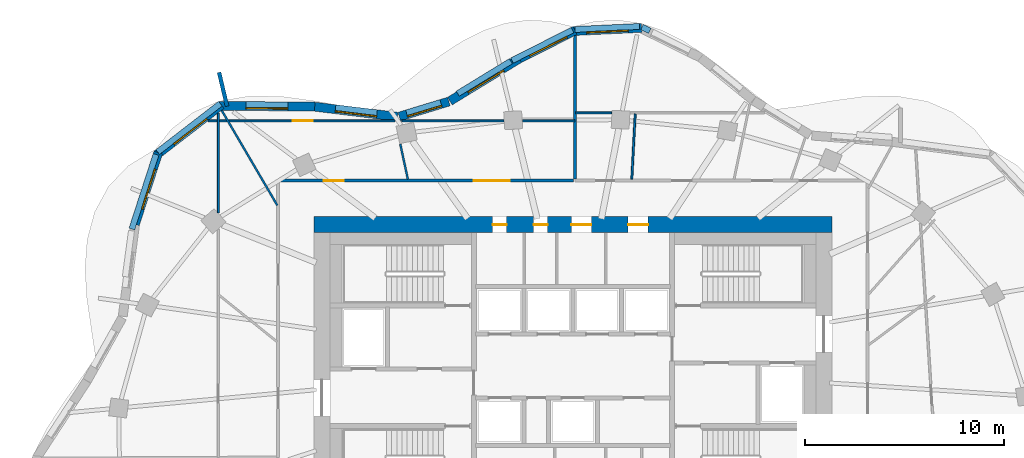
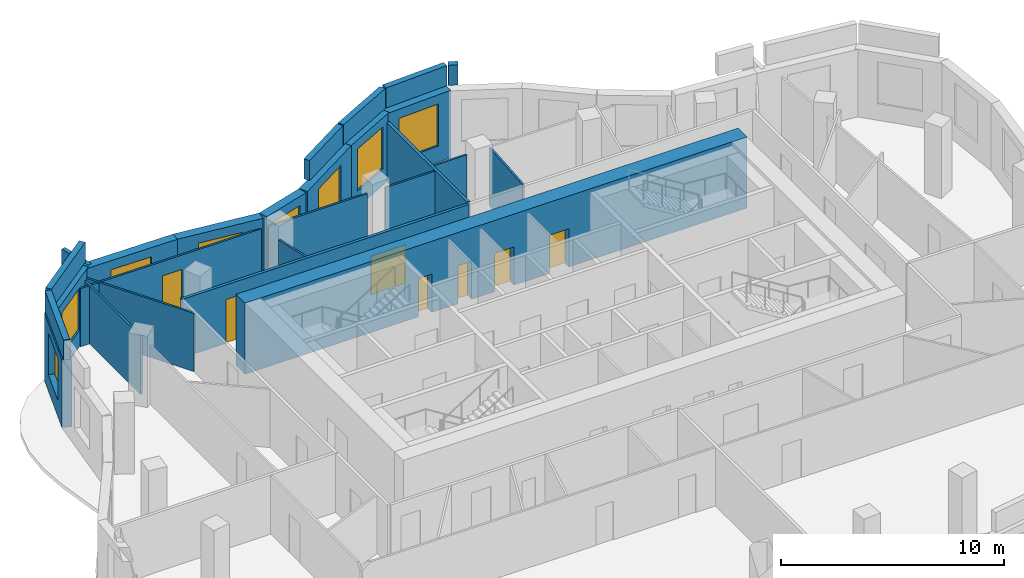
# One storey, part 7 of 9: 26 walls, 8 windows, 7 doors, 15 openings.
"""IFC4 building model written with IfcOpenShell, lengths in metres."""

from ifc_helpers import new_model, si_unit, direction, frame, frame_2d, origin, place, context, subcontext, project, spatial, rectangle, extrude, material, layer, layer_set, type_object, element, fill, save


model = new_model("IFC4")

# Units and contexts
model_context = context("Model", 3, precision=1e-05, world=origin(), true_north=direction((0.0, 1.0)))
body_context = subcontext(model_context, "Body", "Model", "MODEL_VIEW")
ifc_project = project(units=[si_unit("LENGTHUNIT", "METRE"), si_unit("AREAUNIT", "SQUARE_METRE"), si_unit("VOLUMEUNIT", "CUBIC_METRE"), si_unit("PLANEANGLEUNIT", "RADIAN"), si_unit("MASSUNIT", "GRAM", prefix="KILO")], contexts=[model_context])

# Site, building, storey
site_placement = place(None, origin())
site = spatial("IfcSite", under=ifc_project, at=site_placement, CompositionType="ELEMENT")
building_placement = place(site_placement, origin())
building = spatial("IfcBuilding", under=site, at=building_placement, Name="Rubra Terraces Tower", CompositionType="ELEMENT")
storey_placement = place(building_placement, frame((0.0, 0.0, 300.0)))
storey = spatial("IfcBuildingStorey", under=building, at=storey_placement, Name="L74", CompositionType="ELEMENT", Elevation=300.0)

# Wall, opening, window
ifc_material_1 = material(Name="Brick masonry red-brown", Category="masonry")
ifc_layer_1 = layer(ifc_material_1, 0.449951171875)
ifc_layer_set_1 = layer_set([ifc_layer_1], Name="Brick masonry red-brown")
wall_type_1 = type_object("IfcWallType", Name="Brick facade wall 450", PredefinedType="SOLIDWALL", material=ifc_layer_set_1)
wall_1_placement = place(storey_placement, frame((3.447509765625, 21.47314453125, 0.0), z_axis=(0.0, 0.0, 1.0), x_axis=(-0.998906179907, -0.046759424106, 0.0)))
wall_1 = element("IfcWall", 1, at=wall_1_placement, inside=storey, type_object=wall_type_1, Name="Facade wall L74 bay 10", PredefinedType="SOLIDWALL", context=body_context, shape_type="SweptSolid", body=[
    extrude(rectangle(XDim=3.440673828125, YDim=0.449951171875, at=frame_2d((1.72021484375, 0.0))), origin(), (0.0, 0.0, 1.0), 3.699951171875),
])
opening_1_placement = place(wall_1_placement, frame((0.67041015625, 0.0, 0.89990234375)))
opening_1 = element("IfcOpeningElement", 2, at=opening_1_placement, cuts=wall_1, Name="Opening W1B", PredefinedType="OPENING", context=body_context, shape_type="SweptSolid", body=[
    extrude(rectangle(XDim=2.10009765625, YDim=2.300048828125, at=frame_2d((1.050048828125, 1.14990234375))), frame((0.0, 0.23486328125, 0.0), z_axis=(0.0, -1.0, 0.0), x_axis=(1.0, 0.0, 0.0)), (0.0, 0.0, 1.0), 0.469970703125),
])
ifc_material_2 = material(Name="Clear glass in aluminium frame", Category="aluminium")
window_type_1 = type_object("IfcWindowType", Name="Fixed deep-set window tall storey 2100 x 2300", PartitioningType="SINGLE_PANEL", PredefinedType="WINDOW", material=ifc_material_2)
window_1_placement = place(opening_1_placement, origin())
window_1 = element("IfcWindow", 3, at=window_1_placement, inside=storey, type_object=window_type_1, Name="Window L74 bay 10", OverallHeight=2.300048828125, OverallWidth=2.10009765625, PartitioningType="SINGLE_PANEL", PredefinedType="WINDOW", context=body_context, shape_type="SweptSolid", body=[
    extrude(rectangle(XDim=2.10009765625, YDim=2.300048828125, at=frame_2d((1.050048828125, 1.14990234375))), frame((0.0, 0.135009765625, 0.0), z_axis=(0.0, -1.0, 0.0), x_axis=(1.0, 0.0, 0.0)), (0.0, 0.0, 1.0), 0.06005859375),
])
fill(opening_1, window_1)

wall_2_placement = place(storey_placement, frame((0.10107421875, 21.3359375, 0.0), z_axis=(0.0, 0.0, 1.0), x_axis=(-0.893517109669, -0.449029146859, 0.0)))
wall_2 = element("IfcWall", 4, at=wall_2_placement, inside=storey, type_object=wall_type_1, Name="Facade wall L74 bay 11", PredefinedType="SOLIDWALL", context=body_context, shape_type="SweptSolid", body=[
    extrude(rectangle(XDim=3.1181640625, YDim=0.449951171875, at=frame_2d((1.55908203125, 0.0))), origin(), (0.0, 0.0, 1.0), 3.699951171875),
])
opening_2_placement = place(wall_2_placement, frame((0.509033203125, 0.0, 0.89990234375)))
opening_2 = element("IfcOpeningElement", 5, at=opening_2_placement, cuts=wall_2, Name="Opening W1B", PredefinedType="OPENING", context=body_context, shape_type="SweptSolid", body=[
    extrude(rectangle(XDim=2.10009765625, YDim=2.300048828125, at=frame_2d((1.050048828125, 1.14990234375))), frame((0.0, 0.23486328125, 0.0), z_axis=(0.0, -1.0, 0.0), x_axis=(1.0, 0.0, 0.0)), (0.0, 0.0, 1.0), 0.469970703125),
])
window_2_placement = place(opening_2_placement, origin())
window_2 = element("IfcWindow", 6, at=window_2_placement, inside=storey, type_object=window_type_1, Name="Window L74 bay 11", OverallHeight=2.300048828125, OverallWidth=2.10009765625, PartitioningType="SINGLE_PANEL", PredefinedType="WINDOW", context=body_context, shape_type="SweptSolid", body=[
    extrude(rectangle(XDim=2.10009765625, YDim=2.300048828125, at=frame_2d((1.050048828125, 1.14990234375))), frame((0.0, 0.135009765625, 0.0), z_axis=(0.0, -1.0, 0.0), x_axis=(1.0, 0.0, 0.0)), (0.0, 0.0, 1.0), 0.06005859375),
])
fill(opening_2, window_2)

wall_3_placement = place(storey_placement, frame((-2.668701171875, 19.945068359375, 0.0), z_axis=(0.0, 0.0, 1.0), x_axis=(-0.852919259017, -0.522042850346, 0.0)))
wall_3 = element("IfcWall", 7, at=wall_3_placement, inside=storey, type_object=wall_type_1, Name="Facade wall L74 bay 12", PredefinedType="SOLIDWALL", context=body_context, shape_type="SweptSolid", body=[
    extrude(rectangle(XDim=4.113525390625, YDim=0.449951171875, at=frame_2d((2.056640625, 0.0))), origin(), (0.0, 0.0, 1.0), 3.699951171875),
])
opening_3_placement = place(wall_3_placement, frame((1.0068359375, 0.0, 0.89990234375)))
opening_3 = element("IfcOpeningElement", 8, at=opening_3_placement, cuts=wall_3, Name="Opening W1B", PredefinedType="OPENING", context=body_context, shape_type="SweptSolid", body=[
    extrude(rectangle(XDim=2.10009765625, YDim=2.300048828125, at=frame_2d((1.050048828125, 1.14990234375))), frame((0.0, 0.23486328125, 0.0), z_axis=(0.0, -1.0, 0.0), x_axis=(1.0, 0.0, 0.0)), (0.0, 0.0, 1.0), 0.469970703125),
])
window_3_placement = place(opening_3_placement, origin())
window_3 = element("IfcWindow", 9, at=window_3_placement, inside=storey, type_object=window_type_1, Name="Window L74 bay 12", OverallHeight=2.300048828125, OverallWidth=2.10009765625, PartitioningType="SINGLE_PANEL", PredefinedType="WINDOW", context=body_context, shape_type="SweptSolid", body=[
    extrude(rectangle(XDim=2.10009765625, YDim=2.300048828125, at=frame_2d((1.050048828125, 1.14990234375))), frame((0.0, 0.135009765625, 0.0), z_axis=(0.0, -1.0, 0.0), x_axis=(1.0, 0.0, 0.0)), (0.0, 0.0, 1.0), 0.06005859375),
])
fill(opening_3, window_3)

wall_4_placement = place(storey_placement, frame((-6.229248046875, 17.774169921875, 0.0), z_axis=(0.0, 0.0, 1.0), x_axis=(-0.95663749396, -0.291281144515, 0.0)))
wall_4 = element("IfcWall", 10, at=wall_4_placement, inside=storey, type_object=wall_type_1, Name="Facade wall L74 bay 13", PredefinedType="SOLIDWALL", context=body_context, shape_type="SweptSolid", body=[
    extrude(rectangle(XDim=2.600830078125, YDim=0.449951171875, at=frame_2d((1.30029296875, 0.0))), origin(), (0.0, 0.0, 1.0), 3.699951171875),
])
opening_4_placement = place(wall_4_placement, frame((0.400390625, 0.0, 0.89990234375)))
opening_4 = element("IfcOpeningElement", 11, at=opening_4_placement, cuts=wall_4, Name="Opening W6B", PredefinedType="OPENING", context=body_context, shape_type="SweptSolid", body=[
    extrude(rectangle(XDim=1.800048828125, YDim=2.300048828125, at=frame_2d((0.89990234375, 1.14990234375))), frame((0.0, 0.23486328125, 0.0), z_axis=(0.0, -1.0, 0.0), x_axis=(1.0, 0.0, 0.0)), (0.0, 0.0, 1.0), 0.469970703125),
])
window_type_2 = type_object("IfcWindowType", Name="Fixed deep-set window at wind fin tall storey 1800 x 2300", PartitioningType="SINGLE_PANEL", PredefinedType="WINDOW", material=ifc_material_2)
window_4_placement = place(opening_4_placement, origin())
window_4 = element("IfcWindow", 12, at=window_4_placement, inside=storey, type_object=window_type_2, Name="Window L74 bay 13", OverallHeight=2.300048828125, OverallWidth=1.800048828125, PartitioningType="SINGLE_PANEL", PredefinedType="WINDOW", context=body_context, shape_type="SweptSolid", body=[
    extrude(rectangle(XDim=1.800048828125, YDim=2.300048828125, at=frame_2d((0.89990234375, 1.14990234375))), frame((0.0, 0.135009765625, 0.0), z_axis=(0.0, -1.0, 0.0), x_axis=(1.0, 0.0, 0.0)), (0.0, 0.0, 1.0), 0.06005859375),
])
fill(opening_4, window_4)

wall_5_placement = place(storey_placement, frame((-8.806884765625, 17.00830078125, 0.0), z_axis=(0.0, 0.0, 1.0), x_axis=(-0.992654419289, 0.120984312483, 0.0)))
wall_5 = element("IfcWall", 13, at=wall_5_placement, inside=storey, type_object=wall_type_1, Name="Facade wall L74 bay 14", PredefinedType="SOLIDWALL", context=body_context, shape_type="SweptSolid", body=[
    extrude(rectangle(XDim=4.187255859375, YDim=0.449951171875, at=frame_2d((2.09375, 0.0))), origin(), (0.0, 0.0, 1.0), 3.699951171875),
])
opening_5_placement = place(wall_5_placement, frame((1.043701171875, 0.0, 0.89990234375)))
opening_5 = element("IfcOpeningElement", 14, at=opening_5_placement, cuts=wall_5, Name="Opening W1B", PredefinedType="OPENING", context=body_context, shape_type="SweptSolid", body=[
    extrude(rectangle(XDim=2.10009765625, YDim=2.300048828125, at=frame_2d((1.050048828125, 1.14990234375))), frame((0.0, 0.23486328125, 0.0), z_axis=(0.0, -1.0, 0.0), x_axis=(1.0, 0.0, 0.0)), (0.0, 0.0, 1.0), 0.469970703125),
])
window_5_placement = place(opening_5_placement, origin())
window_5 = element("IfcWindow", 15, at=window_5_placement, inside=storey, type_object=window_type_1, Name="Window L74 bay 14", OverallHeight=2.300048828125, OverallWidth=2.10009765625, PartitioningType="SINGLE_PANEL", PredefinedType="WINDOW", context=body_context, shape_type="SweptSolid", body=[
    extrude(rectangle(XDim=2.10009765625, YDim=2.300048828125, at=frame_2d((1.050048828125, 1.14990234375))), frame((0.0, 0.135009765625, 0.0), z_axis=(0.0, -1.0, 0.0), x_axis=(1.0, 0.0, 0.0)), (0.0, 0.0, 1.0), 0.06005859375),
])
fill(opening_5, window_5)

wall_6_placement = place(storey_placement, frame((-12.93896484375, 17.513671875, 0.0), z_axis=(0.0, 0.0, 1.0), x_axis=(-0.999950280333, 0.00997180335, 0.0)))
wall_6 = element("IfcWall", 16, at=wall_6_placement, inside=storey, type_object=wall_type_1, Name="Facade wall L74 bay 15", PredefinedType="SOLIDWALL", context=body_context, shape_type="SweptSolid", body=[
    extrude(rectangle(XDim=4.84765625, YDim=0.449951171875, at=frame_2d((2.423828125, 0.0))), origin(), (0.0, 0.0, 1.0), 3.699951171875),
])
opening_6_placement = place(wall_6_placement, frame((1.373779296875, 0.0, 0.89990234375)))
opening_6 = element("IfcOpeningElement", 17, at=opening_6_placement, cuts=wall_6, Name="Opening W1B", PredefinedType="OPENING", context=body_context, shape_type="SweptSolid", body=[
    extrude(rectangle(XDim=2.10009765625, YDim=2.300048828125, at=frame_2d((1.050048828125, 1.14990234375))), frame((0.0, 0.23486328125, 0.0), z_axis=(0.0, -1.0, 0.0), x_axis=(1.0, 0.0, 0.0)), (0.0, 0.0, 1.0), 0.469970703125),
])
window_6_placement = place(opening_6_placement, origin())
window_6 = element("IfcWindow", 18, at=window_6_placement, inside=storey, type_object=window_type_1, Name="Window L74 bay 15", OverallHeight=2.300048828125, OverallWidth=2.10009765625, PartitioningType="SINGLE_PANEL", PredefinedType="WINDOW", context=body_context, shape_type="SweptSolid", body=[
    extrude(rectangle(XDim=2.10009765625, YDim=2.300048828125, at=frame_2d((1.050048828125, 1.14990234375))), frame((0.0, 0.135009765625, 0.0), z_axis=(0.0, -1.0, 0.0), x_axis=(1.0, 0.0, 0.0)), (0.0, 0.0, 1.0), 0.06005859375),
])
fill(opening_6, window_6)

wall_7_placement = place(storey_placement, frame((-17.6494140625, 17.60888671875, 0.0), z_axis=(0.0, 0.0, 1.0), x_axis=(-0.791693388686, -0.610918634771, 0.0)))
wall_7 = element("IfcWall", 19, at=wall_7_placement, inside=storey, type_object=wall_type_1, Name="Facade wall L74 bay 16", PredefinedType="SOLIDWALL", context=body_context, shape_type="SweptSolid", body=[
    extrude(rectangle(XDim=4.10009765625, YDim=0.449951171875, at=frame_2d((2.050048828125, 0.0))), origin(), (0.0, 0.0, 1.0), 3.699951171875),
])
opening_7_placement = place(wall_7_placement, frame((1.0, 0.0, 0.89990234375)))
opening_7 = element("IfcOpeningElement", 20, at=opening_7_placement, cuts=wall_7, Name="Opening W1B", PredefinedType="OPENING", context=body_context, shape_type="SweptSolid", body=[
    extrude(rectangle(XDim=2.10009765625, YDim=2.300048828125, at=frame_2d((1.050048828125, 1.14990234375))), frame((0.0, 0.23486328125, 0.0), z_axis=(0.0, -1.0, 0.0), x_axis=(1.0, 0.0, 0.0)), (0.0, 0.0, 1.0), 0.469970703125),
])
window_7_placement = place(opening_7_placement, origin())
window_7 = element("IfcWindow", 21, at=window_7_placement, inside=storey, type_object=window_type_1, Name="Window L74 bay 16", OverallHeight=2.300048828125, OverallWidth=2.10009765625, PartitioningType="SINGLE_PANEL", PredefinedType="WINDOW", context=body_context, shape_type="SweptSolid", body=[
    extrude(rectangle(XDim=2.10009765625, YDim=2.300048828125, at=frame_2d((1.050048828125, 1.14990234375))), frame((0.0, 0.135009765625, 0.0), z_axis=(0.0, -1.0, 0.0), x_axis=(1.0, 0.0, 0.0)), (0.0, 0.0, 1.0), 0.06005859375),
])
fill(opening_7, window_7)

wall_8_placement = place(storey_placement, frame((-20.819091796875, 15.212646484375, 0.0), z_axis=(0.0, 0.0, 1.0), x_axis=(-0.308282259578, -0.95129493241, 0.0)))
wall_8 = element("IfcWall", 22, at=wall_8_placement, inside=storey, type_object=wall_type_1, Name="Facade wall L74 bay 17", PredefinedType="SOLIDWALL", context=body_context, shape_type="SweptSolid", body=[
    extrude(rectangle(XDim=3.78466796875, YDim=0.449951171875, at=frame_2d((1.892333984375, 0.0))), origin(), (0.0, 0.0, 1.0), 3.699951171875),
])
opening_8_placement = place(wall_8_placement, frame((0.84228515625, 0.0, 0.89990234375)))
opening_8 = element("IfcOpeningElement", 23, at=opening_8_placement, cuts=wall_8, Name="Opening W1B", PredefinedType="OPENING", context=body_context, shape_type="SweptSolid", body=[
    extrude(rectangle(XDim=2.10009765625, YDim=2.300048828125, at=frame_2d((1.050048828125, 1.14990234375))), frame((0.0, 0.23486328125, 0.0), z_axis=(0.0, -1.0, 0.0), x_axis=(1.0, 0.0, 0.0)), (0.0, 0.0, 1.0), 0.469970703125),
])
window_8_placement = place(opening_8_placement, origin())
window_8 = element("IfcWindow", 24, at=window_8_placement, inside=storey, type_object=window_type_1, Name="Window L74 bay 17", OverallHeight=2.300048828125, OverallWidth=2.10009765625, PartitioningType="SINGLE_PANEL", PredefinedType="WINDOW", context=body_context, shape_type="SweptSolid", body=[
    extrude(rectangle(XDim=2.10009765625, YDim=2.300048828125, at=frame_2d((1.050048828125, 1.14990234375))), frame((0.0, 0.135009765625, 0.0), z_axis=(0.0, -1.0, 0.0), x_axis=(1.0, 0.0, 0.0)), (0.0, 0.0, 1.0), 0.06005859375),
])
fill(opening_8, window_8)

# Walls
ifc_layer_2 = layer(ifc_material_1, 0.300048828125)
ifc_layer_set_2 = layer_set([ifc_layer_2], Name="Brick masonry red-brown")
wall_type_2 = type_object("IfcWallType", Name="Brick parapet 300", PredefinedType="PARAPET", material=ifc_layer_set_2)
wall_9_placement = place(storey_placement, frame((3.864501953125, 21.319580078125, 3.89990234375), z_axis=(0.0, 0.0, 1.0), x_axis=(-0.896619334778, 0.442802177617, 0.0)))
element("IfcWall", 25, at=wall_9_placement, inside=storey, type_object=wall_type_2, Name="Parapet L74 bay 9", PredefinedType="PARAPET", context=body_context, shape_type="SweptSolid", body=[
    extrude(rectangle(XDim=0.443359375, YDim=0.300048828125, at=frame_2d((0.2216796875, 0.0))), origin(), (0.0, 0.0, 1.0), 1.10009765625),
])
wall_10_placement = place(storey_placement, frame((3.336669921875, 21.543212890625, 3.89990234375), z_axis=(0.0, 0.0, 1.0), x_axis=(-0.998904330634, -0.046798912812, 0.0)))
element("IfcWall", 26, at=wall_10_placement, inside=storey, type_object=wall_type_2, Name="Parapet L74 bay 10", PredefinedType="PARAPET", context=body_context, shape_type="SweptSolid", body=[
    extrude(rectangle(XDim=3.23974609375, YDim=0.300048828125, at=frame_2d((1.619873046875, 0.0))), origin(), (0.0, 0.0, 1.0), 1.10009765625),
])
wall_11_placement = place(storey_placement, frame((-0.016357421875, 21.36083984375, 3.89990234375), z_axis=(0.0, 0.0, 1.0), x_axis=(-0.893520711687, -0.44902197918, 0.0)))
element("IfcWall", 27, at=wall_11_placement, inside=storey, type_object=wall_type_2, Name="Parapet L74 bay 11", PredefinedType="PARAPET", context=body_context, shape_type="SweptSolid", body=[
    extrude(rectangle(XDim=3.400390625, YDim=0.300048828125, at=frame_2d((1.7001953125, 0.0))), origin(), (0.0, 0.0, 1.0), 1.10009765625),
])
wall_12_placement = place(storey_placement, frame((-3.117919921875, 19.798828125, 3.89990234375), z_axis=(0.0, 0.0, 1.0), x_axis=(-0.852922319554, -0.522037849975, 0.0)))
element("IfcWall", 28, at=wall_12_placement, inside=storey, type_object=wall_type_2, Name="Parapet L74 bay 12", PredefinedType="PARAPET", context=body_context, shape_type="SweptSolid", body=[
    extrude(rectangle(XDim=3.1240234375, YDim=0.300048828125, at=frame_2d((1.56201171875, 0.0))), origin(), (0.0, 0.0, 1.0), 1.10009765625),
])
wall_13_placement = place(storey_placement, frame((-17.697998046875, 17.666259765625, 3.89990234375), z_axis=(0.0, 0.0, 1.0), x_axis=(-0.791652356246, -0.610971805282, 0.0)))
element("IfcWall", 29, at=wall_13_placement, inside=storey, type_object=wall_type_2, Name="Parapet L74 bay 16", PredefinedType="PARAPET", context=body_context, shape_type="SweptSolid", body=[
    extrude(rectangle(XDim=3.973876953125, YDim=0.300048828125, at=frame_2d((1.98681640625, 0.0))), origin(), (0.0, 0.0, 1.0), 1.10009765625),
])
wall_14_placement = place(storey_placement, frame((-20.92822265625, 15.118896484375, 3.89990234375), z_axis=(0.0, 0.0, 1.0), x_axis=(-0.30831369753, -0.951284743868, 0.0)))
element("IfcWall", 30, at=wall_14_placement, inside=storey, type_object=wall_type_2, Name="Parapet L74 bay 17", PredefinedType="PARAPET", context=body_context, shape_type="SweptSolid", body=[
    extrude(rectangle(XDim=3.938720703125, YDim=0.300048828125, at=frame_2d((1.96923828125, 0.0))), origin(), (0.0, 0.0, 1.0), 1.10009765625),
])
ifc_layer_3 = layer(ifc_material_1, 0.199951171875)
ifc_layer_set_3 = layer_set([ifc_layer_3], Name="Brick masonry red-brown")
wall_type_3 = type_object("IfcWallType", Name="Brick wind fin 200", PredefinedType="SOLIDWALL", material=ifc_layer_set_3)
wall_15_placement = place(storey_placement, frame((-17.362060546875, 17.5380859375, 0.0), z_axis=(0.0, 0.0, 1.0), x_axis=(-0.230469860183, 0.973079464148, 0.0)))
element("IfcWall", 31, at=wall_15_placement, inside=storey, type_object=wall_type_3, Name="Wind fin L74 8", PredefinedType="SOLIDWALL", context=body_context, shape_type="SweptSolid", body=[
    extrude(rectangle(XDim=1.75, YDim=0.199951171875, at=frame_2d((0.875, 0.0))), origin(), (0.0, 0.0, 1.0), 3.699951171875),
])

# Wall, openings, doors
ifc_material_3 = material(Name="Concrete C50", Category="concrete")
ifc_layer_4 = layer(ifc_material_3, 0.800048828125)
ifc_layer_set_4 = layer_set([ifc_layer_4], Name="Concrete C50")
wall_type_4 = type_object("IfcWallType", Name="CORE WALL 800 C50", PredefinedType="SHEAR", material=ifc_layer_set_4)
wall_16_placement = place(storey_placement, frame((-13.0, 11.60009765625, 0.0), z_axis=(0.0, 0.0, 1.0), x_axis=(1.0, 0.0, 0.0)))
wall_16 = element("IfcWall", 32, at=wall_16_placement, inside=storey, type_object=wall_type_4, Name="CORE WALL N L74", PredefinedType="SHEAR", context=body_context, shape_type="SweptSolid", body=[
    extrude(rectangle(XDim=26.0, YDim=0.800048828125, at=frame_2d((13.0, 0.0))), origin(), (0.0, 0.0, 1.0), 3.89990234375),
])
opening_9_placement = place(wall_16_placement, frame((8.97509765625, 0.0, 0.0)))
opening_9 = element("IfcOpeningElement", 33, at=opening_9_placement, cuts=wall_16, Name="Opening L74.C25", PredefinedType="OPENING", context=body_context, shape_type="SweptSolid", body=[
    extrude(rectangle(XDim=0.699951171875, YDim=2.10009765625, at=frame_2d((0.35009765625, 1.050048828125))), frame((0.0, 0.409912109375, 0.0), z_axis=(0.0, -1.0, 0.0), x_axis=(1.0, 0.0, 0.0)), (0.0, 0.0, 1.0), 0.820068359375),
])
opening_10_placement = place(wall_16_placement, frame((11.02490234375, 0.0, 0.0)))
opening_10 = element("IfcOpeningElement", 34, at=opening_10_placement, cuts=wall_16, Name="Opening L74.C26", PredefinedType="OPENING", context=body_context, shape_type="SweptSolid", body=[
    extrude(rectangle(XDim=0.699951171875, YDim=2.10009765625, at=frame_2d((0.35009765625, 1.050048828125))), frame((0.0, 0.409912109375, 0.0), z_axis=(0.0, -1.0, 0.0), x_axis=(1.0, 0.0, 0.0)), (0.0, 0.0, 1.0), 0.820068359375),
])
opening_11_placement = place(wall_16_placement, frame((12.925048828125, 0.0, 0.0)))
opening_11 = element("IfcOpeningElement", 35, at=opening_11_placement, cuts=wall_16, Name="Opening L74.C27", PredefinedType="OPENING", context=body_context, shape_type="SweptSolid", body=[
    extrude(rectangle(XDim=1.0, YDim=2.10009765625, at=frame_2d((0.5, 1.050048828125))), frame((0.0, 0.409912109375, 0.0), z_axis=(0.0, -1.0, 0.0), x_axis=(1.0, 0.0, 0.0)), (0.0, 0.0, 1.0), 0.820068359375),
])
opening_12_placement = place(wall_16_placement, frame((15.77490234375, 0.0, 0.0)))
opening_12 = element("IfcOpeningElement", 36, at=opening_12_placement, cuts=wall_16, Name="Opening L74.C28", PredefinedType="OPENING", context=body_context, shape_type="SweptSolid", body=[
    extrude(rectangle(XDim=1.0, YDim=2.10009765625, at=frame_2d((0.5, 1.050048828125))), frame((0.0, 0.409912109375, 0.0), z_axis=(0.0, -1.0, 0.0), x_axis=(1.0, 0.0, 0.0)), (0.0, 0.0, 1.0), 0.820068359375),
])
ifc_material_4 = material(Name="Painted steel", Category="steel")
door_type_1 = type_object("IfcDoorType", Name="Fire door 1000x2100 single", OperationType="NOTDEFINED", PredefinedType="DOOR", material=ifc_material_4)
door_1_placement = place(opening_11_placement, origin())
door_1 = element("IfcDoor", 37, at=door_1_placement, inside=storey, type_object=door_type_1, Name="Guest pantry door", OperationType="SINGLE_SWING_LEFT", OverallHeight=2.10009765625, OverallWidth=1.0, PredefinedType="DOOR", context=body_context, shape_type="SweptSolid", body=[
    extrude(rectangle(XDim=1.0, YDim=2.10009765625, at=frame_2d((0.5, 1.050048828125))), frame((0.0, 0.02490234375, 0.0), z_axis=(0.0, -1.0, 0.0), x_axis=(1.0, 0.0, 0.0)), (0.0, 0.0, 1.0), 0.050048828125),
])
fill(opening_11, door_1)
door_2_placement = place(opening_12_placement, origin())
door_2 = element("IfcDoor", 38, at=door_2_placement, inside=storey, type_object=door_type_1, Name="Security and building control room door", OperationType="SINGLE_SWING_RIGHT", OverallHeight=2.10009765625, OverallWidth=1.0, PredefinedType="DOOR", context=body_context, shape_type="SweptSolid", body=[
    extrude(rectangle(XDim=1.0, YDim=2.10009765625, at=frame_2d((0.5, 1.050048828125))), frame((0.0, 0.02490234375, 0.0), z_axis=(0.0, -1.0, 0.0), x_axis=(1.0, 0.0, 0.0)), (0.0, 0.0, 1.0), 0.050048828125),
])
fill(opening_12, door_2)
door_type_2 = type_object("IfcDoorType", Name="Riser access door 700x2100 single", OperationType="NOTDEFINED", PredefinedType="DOOR", material=ifc_material_4)
door_3_placement = place(opening_9_placement, origin())
door_3 = element("IfcDoor", 39, at=door_3_placement, inside=storey, type_object=door_type_2, Name="Electrical riser room door", OperationType="SINGLE_SWING_LEFT", OverallHeight=2.10009765625, OverallWidth=0.699951171875, PredefinedType="DOOR", context=body_context, shape_type="SweptSolid", body=[
    extrude(rectangle(XDim=0.699951171875, YDim=2.10009765625, at=frame_2d((0.35009765625, 1.050048828125))), frame((0.0, 0.02490234375, 0.0), z_axis=(0.0, -1.0, 0.0), x_axis=(1.0, 0.0, 0.0)), (0.0, 0.0, 1.0), 0.050048828125),
])
fill(opening_9, door_3)
door_4_placement = place(opening_10_placement, origin())
door_4 = element("IfcDoor", 40, at=door_4_placement, inside=storey, type_object=door_type_2, Name="Water and drainage riser door", OperationType="SINGLE_SWING_RIGHT", OverallHeight=2.10009765625, OverallWidth=0.699951171875, PredefinedType="DOOR", context=body_context, shape_type="SweptSolid", body=[
    extrude(rectangle(XDim=0.699951171875, YDim=2.10009765625, at=frame_2d((0.35009765625, 1.050048828125))), frame((0.0, 0.02490234375, 0.0), z_axis=(0.0, -1.0, 0.0), x_axis=(1.0, 0.0, 0.0)), (0.0, 0.0, 1.0), 0.050048828125),
])
fill(opening_10, door_4)

ifc_material_5 = material(Name="Plasterboard on steel stud, mineral wool infill", Category="steel")
ifc_layer_5 = layer(ifc_material_5, 0.14990234375)
ifc_layer_set_5 = layer_set([ifc_layer_5], Name="Plasterboard on steel stud, mineral wool infill")
wall_type_5 = type_object("IfcWallType", Name="CORRIDOR PARTITION 150", PredefinedType="PARTITIONING", material=ifc_layer_set_5)
wall_17_placement = place(storey_placement, frame((0.033935546875, 13.800048828125, 0.0), z_axis=(0.0, 0.0, 1.0), x_axis=(-1.0, 0.0, 0.0)))
wall_17 = element("IfcWall", 41, at=wall_17_placement, inside=storey, type_object=wall_type_5, Name="PARTITION", PredefinedType="PARTITIONING", context=body_context, shape_type="SweptSolid", body=[
    extrude(rectangle(XDim=14.833984375, YDim=0.14990234375, at=frame_2d((7.4169921875, 0.0))), origin(), (0.0, 0.0, 1.0), 3.197998046875),
])
opening_13_placement = place(wall_17_placement, frame((3.214111328125, 0.0, 0.0)))
opening_13 = element("IfcOpeningElement", 42, at=opening_13_placement, cuts=wall_17, Name="Opening 74-106", PredefinedType="OPENING", context=body_context, shape_type="SweptSolid", body=[
    extrude(rectangle(XDim=1.800048828125, YDim=2.10009765625, at=frame_2d((0.89990234375, 1.050048828125))), frame((0.0, 0.0849609375, 0.0), z_axis=(0.0, -1.0, 0.0), x_axis=(1.0, 0.0, 0.0)), (0.0, 0.0, 1.0), 0.169921875),
])
opening_14_placement = place(wall_17_placement, frame((11.550048828125, 0.0, 0.0)))
opening_14 = element("IfcOpeningElement", 43, at=opening_14_placement, cuts=wall_17, Name="Opening 74-107", PredefinedType="OPENING", context=body_context, shape_type="SweptSolid", body=[
    extrude(rectangle(XDim=1.0, YDim=2.39990234375, at=frame_2d((0.5, 1.199951171875))), frame((0.0, 0.0849609375, 0.0), z_axis=(0.0, -1.0, 0.0), x_axis=(1.0, 0.0, 0.0)), (0.0, 0.0, 1.0), 0.169921875),
])
ifc_material_6 = material(Name="Glazed aluminium meeting door leaf", Category="aluminium")
door_type_3 = type_object("IfcDoorType", Name="MEETING ROOM GLAZED DOOR 1000 X 2400", OperationType="SINGLE_SWING_LEFT", PredefinedType="DOOR", material=ifc_material_6)
door_5_placement = place(opening_14_placement, origin())
door_5 = element("IfcDoor", 44, at=door_5_placement, inside=storey, type_object=door_type_3, Name="DOOR 74-107", OperationType="SINGLE_SWING_RIGHT", OverallHeight=2.39990234375, OverallWidth=1.0, PredefinedType="DOOR", context=body_context, shape_type="SweptSolid", body=[
    extrude(rectangle(XDim=1.0, YDim=2.39990234375, at=frame_2d((0.5, 1.199951171875))), frame((0.0, 0.02490234375, 0.0), z_axis=(0.0, -1.0, 0.0), x_axis=(1.0, 0.0, 0.0)), (0.0, 0.0, 1.0), 0.050048828125),
])
fill(opening_14, door_5)
ifc_material_7 = material(Name="Painted timber door leaf, double", Category="wood")
door_type_4 = type_object("IfcDoorType", Name="ROOM DOUBLE DOOR 1800 X 2100", OperationType="DOUBLE_DOOR_SINGLE_SWING", PredefinedType="DOOR", material=ifc_material_7)
door_6_placement = place(opening_13_placement, origin())
door_6 = element("IfcDoor", 45, at=door_6_placement, inside=storey, type_object=door_type_4, Name="DOOR 74-106", OperationType="DOUBLE_DOOR_SINGLE_SWING", OverallHeight=2.10009765625, OverallWidth=1.800048828125, PredefinedType="DOOR", context=body_context, shape_type="SweptSolid", body=[
    extrude(rectangle(XDim=1.800048828125, YDim=2.10009765625, at=frame_2d((0.89990234375, 1.050048828125))), frame((0.0, 0.02490234375, 0.0), z_axis=(0.0, -1.0, 0.0), x_axis=(1.0, 0.0, 0.0)), (0.0, 0.0, 1.0), 0.050048828125),
])
fill(opening_13, door_6)

# Walls
ifc_material_8 = material(Name="Plasterboard on steel stud", Category="steel")
ifc_layer_6 = layer(ifc_material_8, 0.10009765625)
ifc_layer_set_6 = layer_set([ifc_layer_6], Name="Plasterboard on steel stud")
wall_type_6 = type_object("IfcWallType", Name="ROOM PARTITION 100", PredefinedType="PARTITIONING", material=ifc_layer_set_6)
wall_18_placement = place(storey_placement, frame((0.132568359375, 17.199951171875, 0.0), z_axis=(0.0, 0.0, 1.0), x_axis=(1.0, 0.0, 0.0)))
element("IfcWall", 46, at=wall_18_placement, inside=storey, type_object=wall_type_6, Name="PARTITION", PredefinedType="PARTITIONING", context=body_context, shape_type="SweptSolid", body=[
    extrude(rectangle(XDim=1.805419921875, YDim=0.10009765625, at=frame_2d((0.90283203125, 0.0))), origin(), (0.0, 0.0, 1.0), 3.18408203125),
])
wall_19_placement = place(storey_placement, frame((2.955810546875, 13.875, 0.0), z_axis=(0.0, 0.0, 1.0), x_axis=(0.052332217716, 0.998629730675, 0.0)))
element("IfcWall", 47, at=wall_19_placement, inside=storey, type_object=wall_type_6, Name="PARTITION", PredefinedType="PARTITIONING", context=body_context, shape_type="SweptSolid", body=[
    extrude(rectangle(XDim=3.279541015625, YDim=0.10009765625, at=frame_2d((1.6396484375, 0.0))), origin(), (0.0, 0.0, 1.0), 3.18408203125),
])
wall_20_placement = place(storey_placement, frame((-17.800048828125, 12.1875, 0.0), z_axis=(0.0, 0.0, 1.0), x_axis=(0.0, 1.0, 0.0)))
element("IfcWall", 48, at=wall_20_placement, inside=storey, type_object=wall_type_6, Name="PARTITION", PredefinedType="PARTITIONING", context=body_context, shape_type="SweptSolid", body=[
    extrude(rectangle(XDim=5.010986328125, YDim=0.10009765625, at=frame_2d((2.50537109375, 0.0))), origin(), (0.0, 0.0, 1.0), 3.18408203125),
])

# Wall, opening, door
wall_21_placement = place(storey_placement, frame((-18.3193359375, 16.800048828125, 0.0), z_axis=(0.0, 0.0, 1.0), x_axis=(1.0, 0.0, 0.0)))
wall_21 = element("IfcWall", 49, at=wall_21_placement, inside=storey, type_object=wall_type_6, Name="PARTITION", PredefinedType="PARTITIONING", context=body_context, shape_type="SweptSolid", body=[
    extrude(rectangle(XDim=9.380859375, YDim=0.10009765625, at=frame_2d((4.6904296875, 0.0))), origin(), (0.0, 0.0, 1.0), 3.18408203125),
])
opening_15_placement = place(wall_21_placement, frame((4.25, 0.0, 0.0)))
opening_15 = element("IfcOpeningElement", 50, at=opening_15_placement, cuts=wall_21, Name="Opening 74-125", PredefinedType="OPENING", context=body_context, shape_type="SweptSolid", body=[
    extrude(rectangle(XDim=1.0, YDim=2.39990234375, at=frame_2d((0.5, 1.199951171875))), frame((0.0, 0.06005859375, 0.0), z_axis=(0.0, -1.0, 0.0), x_axis=(1.0, 0.0, 0.0)), (0.0, 0.0, 1.0), 0.1201171875),
])
door_7_placement = place(opening_15_placement, origin())
door_7 = element("IfcDoor", 51, at=door_7_placement, inside=storey, type_object=door_type_3, Name="DOOR 74-125", OperationType="SINGLE_SWING_RIGHT", OverallHeight=2.39990234375, OverallWidth=1.0, PredefinedType="DOOR", context=body_context, shape_type="SweptSolid", body=[
    extrude(rectangle(XDim=1.0, YDim=2.39990234375, at=frame_2d((0.5, 1.199951171875))), frame((0.0, 0.02490234375, 0.0), z_axis=(0.0, -1.0, 0.0), x_axis=(1.0, 0.0, 0.0)), (0.0, 0.0, 1.0), 0.050048828125),
])
fill(opening_15, door_7)

# Walls
wall_22_placement = place(storey_placement, frame((-8.587890625, 16.800048828125, 0.0), z_axis=(0.0, 0.0, 1.0), x_axis=(1.0, 0.0, 0.0)))
element("IfcWall", 52, at=wall_22_placement, inside=storey, type_object=wall_type_6, Name="PARTITION", PredefinedType="PARTITIONING", context=body_context, shape_type="SweptSolid", body=[
    extrude(rectangle(XDim=5.1201171875, YDim=0.10009765625, at=frame_2d((2.56005859375, 0.0))), origin(), (0.0, 0.0, 1.0), 3.18408203125),
])
wall_23_placement = place(storey_placement, frame((-2.52587890625, 16.800048828125, 0.0), z_axis=(0.0, 0.0, 1.0), x_axis=(1.0, 0.0, 0.0)))
element("IfcWall", 53, at=wall_23_placement, inside=storey, type_object=wall_type_6, Name="PARTITION", PredefinedType="PARTITIONING", context=body_context, shape_type="SweptSolid", body=[
    extrude(rectangle(XDim=2.617919921875, YDim=0.10009765625, at=frame_2d((1.30908203125, 0.0))), origin(), (0.0, 0.0, 1.0), 3.18408203125),
])
wall_24_placement = place(storey_placement, frame((-8.28564453125, 13.873291015625, 0.0), z_axis=(0.0, 0.0, 1.0), x_axis=(-0.21131538294, 0.977417929513, 0.0)))
element("IfcWall", 54, at=wall_24_placement, inside=storey, type_object=wall_type_6, Name="PARTITION", PredefinedType="PARTITIONING", context=body_context, shape_type="SweptSolid", body=[
    extrude(rectangle(XDim=1.810302734375, YDim=0.10009765625, at=frame_2d((0.9052734375, 0.0))), origin(), (0.0, 0.0, 1.0), 3.18408203125),
])
wall_25_placement = place(storey_placement, frame((-14.837890625, 12.557861328125, 0.0), z_axis=(0.0, 0.0, 1.0), x_axis=(-0.505293152316, 0.862947756369, 0.0)))
element("IfcWall", 55, at=wall_25_placement, inside=storey, type_object=wall_type_6, Name="PARTITION", PredefinedType="PARTITIONING", context=body_context, shape_type="SweptSolid", body=[
    extrude(rectangle(XDim=5.5263671875, YDim=0.10009765625, at=frame_2d((2.76318359375, 0.0))), origin(), (0.0, 0.0, 1.0), 3.18408203125),
])
ifc_layer_7 = layer(ifc_material_8, 0.14990234375)
ifc_layer_set_7 = layer_set([ifc_layer_7], Name="Plasterboard on steel stud")
wall_type_7 = type_object("IfcWallType", Name="ROOM PARTITION 150", PredefinedType="PARTITIONING", material=ifc_layer_set_7)
wall_26_placement = place(storey_placement, frame((0.11669921875, 21.08740234375, 0.0), z_axis=(0.0, 0.0, 1.0), x_axis=(-0.001083202939, -0.999999413336, 0.0)))
element("IfcWall", 56, at=wall_26_placement, inside=storey, type_object=wall_type_7, Name="PARTITION", PredefinedType="PARTITIONING", context=body_context, shape_type="SweptSolid", body=[
    extrude(rectangle(XDim=7.21240234375, YDim=0.14990234375, at=frame_2d((3.606201171875, 0.0))), origin(), (0.0, 0.0, 1.0), 3.23388671875),
])

save(model, "model.ifc")
